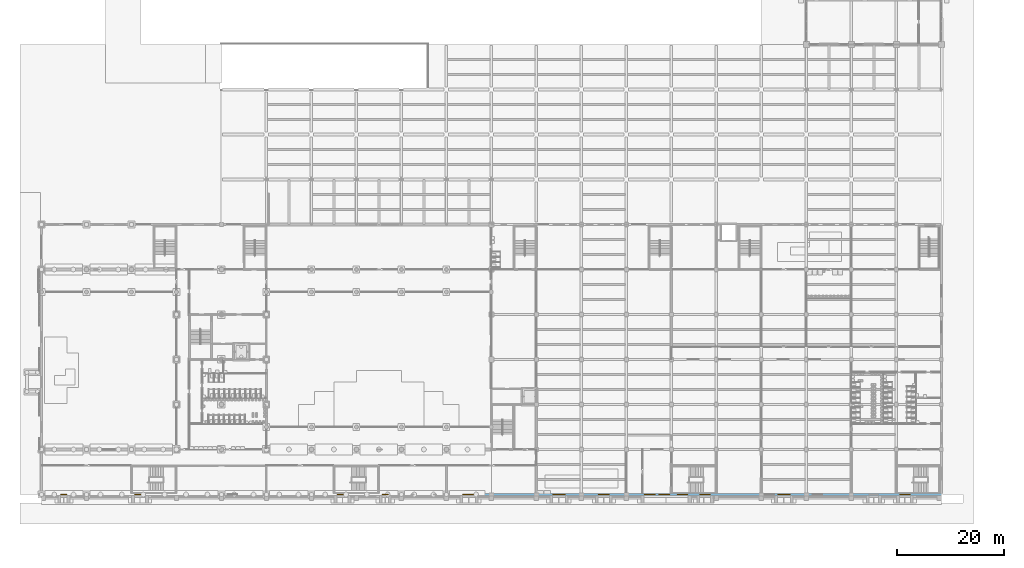
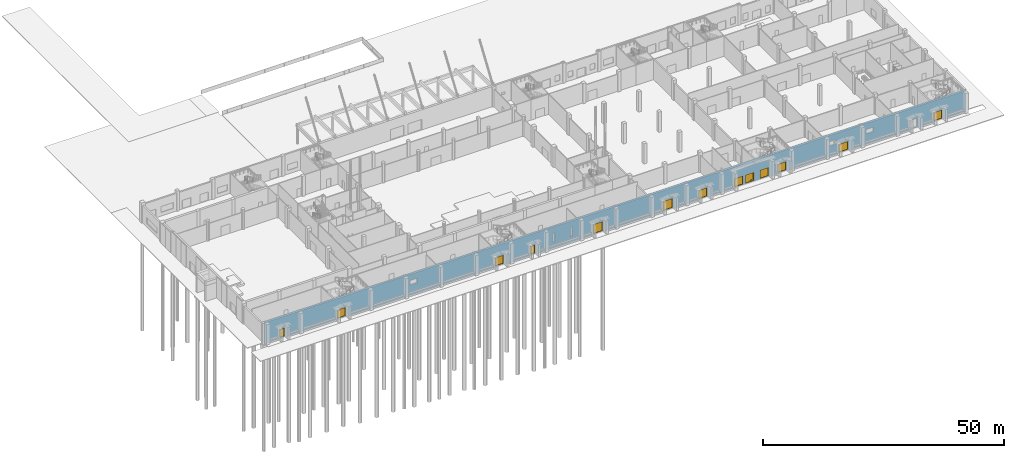
# One storey, part 27 of 74: 13 doors, 19 openings, plus 1 element that does not belong to this part.
"""IFC4 building model written with IfcOpenShell, lengths in metres."""

from ifc_helpers import new_model, si_unit, direction, frame, frame_2d, origin, place, context, subcontext, project, spatial, rectangle, extrude, material, layer, layer_set, type_object, element, fill, save


model = new_model("IFC4")

# Units and contexts
model_context = context("Model", 3, precision=1e-05, world=origin(), true_north=direction((0.0, 1.0)))
body_context = subcontext(model_context, "Body", "Model", "MODEL_VIEW")
ifc_project = project(units=[si_unit("LENGTHUNIT", "METRE"), si_unit("AREAUNIT", "SQUARE_METRE"), si_unit("VOLUMEUNIT", "CUBIC_METRE"), si_unit("PLANEANGLEUNIT", "RADIAN"), si_unit("MASSUNIT", "GRAM", prefix="KILO")], contexts=[model_context])

# Site, building, storey
site_placement = place(None, origin())
site = spatial("IfcSite", under=ifc_project, at=site_placement, CompositionType="ELEMENT")
building_placement = place(site_placement, origin())
building = spatial("IfcBuilding", under=site, at=building_placement, Name="Rulbaag Community and Learning Centre", CompositionType="ELEMENT")
storey_placement = place(building_placement, origin())
storey = spatial("IfcBuildingStorey", under=building, at=storey_placement, Name="L00", CompositionType="ELEMENT", Elevation=0.0)

# Wall, openings, doors
ifc_material_1 = material(Name="Concrete M40", Category="concrete")
ifc_layer = layer(ifc_material_1, 0.449951171875)
ifc_layer_set = layer_set([ifc_layer], Name="W12 Rail-side wall 450 Concrete M40")
wall_type = type_object("IfcWallType", Name="W12 Rail-side wall 450 Concrete M40", PredefinedType="SOLIDWALL", material=ifc_layer_set)
wall_placement = place(storey_placement, frame((0.0, 0.0, -0.300048828125), z_axis=(0.0, 0.0, 1.0), x_axis=(1.0, 0.0, 0.0)))
wall = element("IfcWall", 1, at=wall_placement, inside=storey, type_object=wall_type, Name="WL-RAIL-L00", PredefinedType="SOLIDWALL", context=body_context, shape_type="SweptSolid", body=[
    extrude(rectangle(XDim=168.0, YDim=0.449951171875, at=frame_2d((84.0, 0.0))), origin(), (0.0, 0.0, 1.0), 5.400146484375),
])
opening_1_placement = place(wall_placement, frame((34.800048828125, 0.0, 2.699951171875)))
element("IfcOpeningElement", 2, at=opening_1_placement, cuts=wall, Name="Opening WN7", PredefinedType="OPENING", context=body_context, shape_type="SweptSolid", body=[
    extrude(rectangle(XDim=1.800048828125, YDim=1.199951171875, at=frame_2d((0.89990234375, 0.60009765625))), frame((0.0, 0.23486328125, 0.0), z_axis=(0.0, -1.0, 0.0), x_axis=(1.0, 0.0, 0.0)), (0.0, 0.0, 1.0), 0.469970703125),
])
opening_2_placement = place(wall_placement, frame((69.074951171875, 0.0, 1.5)))
element("IfcOpeningElement", 3, at=opening_2_placement, cuts=wall, Name="Opening WN6", PredefinedType="OPENING", context=body_context, shape_type="SweptSolid", body=[
    extrude(rectangle(XDim=0.449951171875, YDim=2.39990234375, at=frame_2d((0.22509765625, 1.199951171875))), frame((0.0, 0.23486328125, 0.0), z_axis=(0.0, -1.0, 0.0), x_axis=(1.0, 0.0, 0.0)), (0.0, 0.0, 1.0), 0.469970703125),
])
opening_3_placement = place(wall_placement, frame((73.27490234375, 0.0, 1.5)))
element("IfcOpeningElement", 4, at=opening_3_placement, cuts=wall, Name="Opening WN6", PredefinedType="OPENING", context=body_context, shape_type="SweptSolid", body=[
    extrude(rectangle(XDim=0.449951171875, YDim=2.39990234375, at=frame_2d((0.22509765625, 1.199951171875))), frame((0.0, 0.23486328125, 0.0), z_axis=(0.0, -1.0, 0.0), x_axis=(1.0, 0.0, 0.0)), (0.0, 0.0, 1.0), 0.469970703125),
])
opening_4_placement = place(wall_placement, frame((135.0, 0.0, 2.699951171875)))
element("IfcOpeningElement", 5, at=opening_4_placement, cuts=wall, Name="Opening WN7", PredefinedType="OPENING", context=body_context, shape_type="SweptSolid", body=[
    extrude(rectangle(XDim=1.800048828125, YDim=1.199951171875, at=frame_2d((0.89990234375, 0.60009765625))), frame((0.0, 0.23486328125, 0.0), z_axis=(0.0, -1.0, 0.0), x_axis=(1.0, 0.0, 0.0)), (0.0, 0.0, 1.0), 0.469970703125),
])
opening_5_placement = place(wall_placement, frame((144.0, 0.0, 2.699951171875)))
element("IfcOpeningElement", 6, at=opening_5_placement, cuts=wall, Name="Opening WN7", PredefinedType="OPENING", context=body_context, shape_type="SweptSolid", body=[
    extrude(rectangle(XDim=1.800048828125, YDim=1.199951171875, at=frame_2d((0.89990234375, 0.60009765625))), frame((0.0, 0.23486328125, 0.0), z_axis=(0.0, -1.0, 0.0), x_axis=(1.0, 0.0, 0.0)), (0.0, 0.0, 1.0), 0.469970703125),
])
opening_6_placement = place(wall_placement, frame((114.60009765625, 0.0, 0.300048828125), z_axis=(0.0, 0.0, 1.0), x_axis=(-1.0, 0.0, 0.0)))
opening_6 = element("IfcOpeningElement", 7, at=opening_6_placement, cuts=wall, Name="Opening L00-D098", PredefinedType="OPENING", context=body_context, shape_type="SweptSolid", body=[
    extrude(rectangle(XDim=2.10009765625, YDim=2.199951171875, at=frame_2d((1.050048828125, 1.10009765625))), frame((0.0, 0.23486328125, 0.0), z_axis=(0.0, -1.0, 0.0), x_axis=(1.0, 0.0, 0.0)), (0.0, 0.0, 1.0), 0.469970703125),
])
opening_7_placement = place(wall_placement, frame((117.300048828125, 0.0, 0.300048828125), z_axis=(0.0, 0.0, 1.0), x_axis=(-1.0, 0.0, 0.0)))
opening_7 = element("IfcOpeningElement", 8, at=opening_7_placement, cuts=wall, Name="Opening L00-D100", PredefinedType="OPENING", context=body_context, shape_type="SweptSolid", body=[
    extrude(rectangle(XDim=2.10009765625, YDim=2.199951171875, at=frame_2d((1.050048828125, 1.10009765625))), frame((0.0, 0.23486328125, 0.0), z_axis=(0.0, -1.0, 0.0), x_axis=(1.0, 0.0, 0.0)), (0.0, 0.0, 1.0), 0.469970703125),
])
opening_8_placement = place(wall_placement, frame((106.050048828125, 0.0, 0.300048828125), z_axis=(0.0, 0.0, 1.0), x_axis=(-1.0, 0.0, 0.0)))
opening_8 = element("IfcOpeningElement", 9, at=opening_8_placement, cuts=wall, Name="Opening L00-D094", PredefinedType="OPENING", context=body_context, shape_type="SweptSolid", body=[
    extrude(rectangle(XDim=2.10009765625, YDim=2.199951171875, at=frame_2d((1.050048828125, 1.10009765625))), frame((0.0, 0.23486328125, 0.0), z_axis=(0.0, -1.0, 0.0), x_axis=(1.0, 0.0, 0.0)), (0.0, 0.0, 1.0), 0.469970703125),
])
opening_9_placement = place(wall_placement, frame((57.25, 0.0, 0.300048828125), z_axis=(0.0, 0.0, 1.0), x_axis=(-1.0, 0.0, 0.0)))
opening_9 = element("IfcOpeningElement", 10, at=opening_9_placement, cuts=wall, Name="Opening L00-D066", PredefinedType="OPENING", context=body_context, shape_type="SweptSolid", body=[
    extrude(rectangle(XDim=2.10009765625, YDim=2.199951171875, at=frame_2d((1.050048828125, 1.10009765625))), frame((0.0, 0.23486328125, 0.0), z_axis=(0.0, -1.0, 0.0), x_axis=(1.0, 0.0, 0.0)), (0.0, 0.0, 1.0), 0.469970703125),
])
opening_10_placement = place(wall_placement, frame((120.75, 0.0, 0.300048828125), z_axis=(0.0, 0.0, 1.0), x_axis=(-1.0, 0.0, 0.0)))
opening_10 = element("IfcOpeningElement", 11, at=opening_10_placement, cuts=wall, Name="Opening L00-D106", PredefinedType="OPENING", context=body_context, shape_type="SweptSolid", body=[
    extrude(rectangle(XDim=2.10009765625, YDim=2.199951171875, at=frame_2d((1.050048828125, 1.10009765625))), frame((0.0, 0.23486328125, 0.0), z_axis=(0.0, -1.0, 0.0), x_axis=(1.0, 0.0, 0.0)), (0.0, 0.0, 1.0), 0.469970703125),
])
opening_11_placement = place(wall_placement, frame((124.9501953125, 0.0, 0.300048828125), z_axis=(0.0, 0.0, 1.0), x_axis=(-1.0, 0.0, 0.0)))
opening_11 = element("IfcOpeningElement", 12, at=opening_11_placement, cuts=wall, Name="Opening L00-D110", PredefinedType="OPENING", context=body_context, shape_type="SweptSolid", body=[
    extrude(rectangle(XDim=2.10009765625, YDim=2.199951171875, at=frame_2d((1.050048828125, 1.10009765625))), frame((0.0, 0.23486328125, 0.0), z_axis=(0.0, -1.0, 0.0), x_axis=(1.0, 0.0, 0.0)), (0.0, 0.0, 1.0), 0.469970703125),
])
opening_12_placement = place(wall_placement, frame((19.4501953125, 0.0, 0.300048828125), z_axis=(0.0, 0.0, 1.0), x_axis=(-1.0, 0.0, 0.0)))
opening_12 = element("IfcOpeningElement", 13, at=opening_12_placement, cuts=wall, Name="Opening L00-D013", PredefinedType="OPENING", context=body_context, shape_type="SweptSolid", body=[
    extrude(rectangle(XDim=2.10009765625, YDim=2.199951171875, at=frame_2d((1.050048828125, 1.10009765625))), frame((0.0, 0.23486328125, 0.0), z_axis=(0.0, -1.0, 0.0), x_axis=(1.0, 0.0, 0.0)), (0.0, 0.0, 1.0), 0.469970703125),
])
opening_13_placement = place(wall_placement, frame((162.25, 0.0, 0.300048828125), z_axis=(0.0, 0.0, 1.0), x_axis=(-1.0, 0.0, 0.0)))
opening_13 = element("IfcOpeningElement", 14, at=opening_13_placement, cuts=wall, Name="Opening L00-D177", PredefinedType="OPENING", context=body_context, shape_type="SweptSolid", body=[
    extrude(rectangle(XDim=2.10009765625, YDim=2.199951171875, at=frame_2d((1.050048828125, 1.10009765625))), frame((0.0, 0.23486328125, 0.0), z_axis=(0.0, -1.0, 0.0), x_axis=(1.0, 0.0, 0.0)), (0.0, 0.0, 1.0), 0.469970703125),
])
opening_14_placement = place(wall_placement, frame((4.800048828125, 0.0, 0.300048828125), z_axis=(0.0, 0.0, 1.0), x_axis=(-1.0, 0.0, 0.0)))
opening_14 = element("IfcOpeningElement", 15, at=opening_14_placement, cuts=wall, Name="Opening L00-D005", PredefinedType="OPENING", context=body_context, shape_type="SweptSolid", body=[
    extrude(rectangle(XDim=1.199951171875, YDim=2.199951171875, at=frame_2d((0.60009765625, 1.10009765625))), frame((0.0, 0.23486328125, 0.0), z_axis=(0.0, -1.0, 0.0), x_axis=(1.0, 0.0, 0.0)), (0.0, 0.0, 1.0), 0.469970703125),
])
opening_15_placement = place(wall_placement, frame((64.800048828125, 0.0, 0.300048828125), z_axis=(0.0, 0.0, 1.0), x_axis=(-1.0, 0.0, 0.0)))
opening_15 = element("IfcOpeningElement", 16, at=opening_15_placement, cuts=wall, Name="Opening L00-D072", PredefinedType="OPENING", context=body_context, shape_type="SweptSolid", body=[
    extrude(rectangle(XDim=1.199951171875, YDim=2.199951171875, at=frame_2d((0.60009765625, 1.10009765625))), frame((0.0, 0.23486328125, 0.0), z_axis=(0.0, -1.0, 0.0), x_axis=(1.0, 0.0, 0.0)), (0.0, 0.0, 1.0), 0.469970703125),
])
opening_16_placement = place(wall_placement, frame((81.0, 0.0, 0.300048828125), z_axis=(0.0, 0.0, 1.0), x_axis=(-1.0, 0.0, 0.0)))
opening_16 = element("IfcOpeningElement", 17, at=opening_16_placement, cuts=wall, Name="Opening L00-D075", PredefinedType="OPENING", context=body_context, shape_type="SweptSolid", body=[
    extrude(rectangle(XDim=2.39990234375, YDim=2.39990234375, at=frame_2d((1.199951171875, 1.199951171875))), frame((0.0, 0.23486328125, 0.0), z_axis=(0.0, -1.0, 0.0), x_axis=(1.0, 0.0, 0.0)), (0.0, 0.0, 1.0), 0.469970703125),
])
opening_17_placement = place(wall_placement, frame((97.7998046875, 0.0, 0.300048828125), z_axis=(0.0, 0.0, 1.0), x_axis=(-1.0, 0.0, 0.0)))
opening_17 = element("IfcOpeningElement", 18, at=opening_17_placement, cuts=wall, Name="Opening L00-D091", PredefinedType="OPENING", context=body_context, shape_type="SweptSolid", body=[
    extrude(rectangle(XDim=2.39990234375, YDim=2.39990234375, at=frame_2d((1.199951171875, 1.199951171875))), frame((0.0, 0.23486328125, 0.0), z_axis=(0.0, -1.0, 0.0), x_axis=(1.0, 0.0, 0.0)), (0.0, 0.0, 1.0), 0.469970703125),
])
opening_18_placement = place(wall_placement, frame((139.7998046875, 0.0, 0.300048828125), z_axis=(0.0, 0.0, 1.0), x_axis=(-1.0, 0.0, 0.0)))
opening_18 = element("IfcOpeningElement", 19, at=opening_18_placement, cuts=wall, Name="Opening L00-D122", PredefinedType="OPENING", context=body_context, shape_type="SweptSolid", body=[
    extrude(rectangle(XDim=2.39990234375, YDim=2.10009765625, at=frame_2d((1.199951171875, 1.050048828125))), frame((0.0, 0.23486328125, 0.0), z_axis=(0.0, -1.0, 0.0), x_axis=(1.0, 0.0, 0.0)), (0.0, 0.0, 1.0), 0.469970703125),
])
opening_19_placement = place(wall_placement, frame((156.300048828125, 0.0, 0.300048828125), z_axis=(0.0, 0.0, 1.0), x_axis=(-1.0, 0.0, 0.0)))
element("IfcOpeningElement", 20, at=opening_19_placement, cuts=wall, Name="Opening L00-D155", PredefinedType="OPENING", context=body_context, shape_type="SweptSolid", body=[
    extrude(rectangle(XDim=1.800048828125, YDim=2.199951171875, at=frame_2d((0.89990234375, 1.10009765625))), frame((0.0, 0.23486328125, 0.0), z_axis=(0.0, -1.0, 0.0), x_axis=(1.0, 0.0, 0.0)), (0.0, 0.0, 1.0), 0.469970703125),
])
ifc_material_2 = material(Name="Aluminium", Category="aluminium")
door_type_1 = type_object("IfcDoorType", Name="DG-21", OperationType="DOUBLE_DOOR_SINGLE_SWING", PredefinedType="DOOR", material=ifc_material_2)
door_1_placement = place(opening_6_placement, origin())
door_1 = element("IfcDoor", 21, at=door_1_placement, inside=storey, type_object=door_type_1, Name="Final exit G11", OperationType="SINGLE_SWING_LEFT", OverallHeight=2.199951171875, OverallWidth=2.10009765625, PredefinedType="DOOR", context=body_context, shape_type="SweptSolid", body=[
    extrude(rectangle(XDim=2.10009765625, YDim=0.012939453125, at=frame_2d((1.050048828125, 0.006591796875))), frame((0.0, 0.114990234375, 0.0), z_axis=(0.0, -1.0, 0.0), x_axis=(1.0, 0.0, 0.0)), (0.0, 0.0, 1.0), 0.22998046875),
    extrude(rectangle(XDim=0.074951171875, YDim=2.112060546875, at=frame_2d((0.03759765625, 1.069091796875))), frame((0.0, 0.125, 0.0), z_axis=(0.0, -1.0, 0.0), x_axis=(1.0, 0.0, 0.0)), (0.0, 0.0, 1.0), 0.25),
    extrude(rectangle(XDim=0.074951171875, YDim=2.112060546875, at=frame_2d((2.0625, 1.069091796875))), frame((0.0, 0.125, 0.0), z_axis=(0.0, -1.0, 0.0), x_axis=(1.0, 0.0, 0.0)), (0.0, 0.0, 1.0), 0.25),
    extrude(rectangle(XDim=2.10009765625, YDim=0.074951171875, at=frame_2d((1.050048828125, 2.16259765625))), frame((0.0, 0.114990234375, 0.0), z_axis=(0.0, -1.0, 0.0), x_axis=(1.0, 0.0, 0.0)), (0.0, 0.0, 1.0), 0.22998046875),
    extrude(rectangle(XDim=1.9501953125, YDim=0.300048828125, at=frame_2d((1.050048828125, 0.1630859375))), frame((0.0, 0.02001953125, 0.0), z_axis=(0.0, -1.0, 0.0), x_axis=(1.0, 0.0, 0.0)), (0.0, 0.0, 1.0), 0.0400390625),
    extrude(rectangle(XDim=1.9501953125, YDim=0.1201171875, at=frame_2d((1.050048828125, 2.06494140625))), frame((0.0, 0.02001953125, 0.0), z_axis=(0.0, -1.0, 0.0), x_axis=(1.0, 0.0, 0.0)), (0.0, 0.0, 1.0), 0.0400390625),
    extrude(rectangle(XDim=0.090087890625, YDim=1.69189453125, at=frame_2d((0.119873046875, 1.158935546875))), frame((0.0, 0.02490234375, 0.0), z_axis=(0.0, -1.0, 0.0), x_axis=(1.0, 0.0, 0.0)), (0.0, 0.0, 1.0), 0.050048828125),
    extrude(rectangle(XDim=0.179931640625, YDim=1.69189453125, at=frame_2d((1.050048828125, 1.158935546875))), frame((0.0, 0.02490234375, 0.0), z_axis=(0.0, -1.0, 0.0), x_axis=(1.0, 0.0, 0.0)), (0.0, 0.0, 1.0), 0.050048828125),
    extrude(rectangle(XDim=0.090087890625, YDim=1.69189453125, at=frame_2d((1.980224609375, 1.158935546875))), frame((0.0, 0.02490234375, 0.0), z_axis=(0.0, -1.0, 0.0), x_axis=(1.0, 0.0, 0.0)), (0.0, 0.0, 1.0), 0.050048828125),
    extrude(rectangle(XDim=0.795166015625, YDim=1.69189453125, at=frame_2d((0.5625, 1.158935546875))), frame((0.0, 0.011962890625, 0.0), z_axis=(0.0, -1.0, 0.0), x_axis=(1.0, 0.0, 0.0)), (0.0, 0.0, 1.0), 0.02392578125),
    extrude(rectangle(XDim=0.795166015625, YDim=1.69189453125, at=frame_2d((1.53759765625, 1.158935546875))), frame((0.0, 0.011962890625, 0.0), z_axis=(0.0, -1.0, 0.0), x_axis=(1.0, 0.0, 0.0)), (0.0, 0.0, 1.0), 0.02392578125),
])
fill(opening_6, door_1)
door_2_placement = place(opening_7_placement, origin())
door_2 = element("IfcDoor", 22, at=door_2_placement, inside=storey, type_object=door_type_1, Name="Final exit G12", OperationType="SINGLE_SWING_LEFT", OverallHeight=2.199951171875, OverallWidth=2.10009765625, PredefinedType="DOOR", context=body_context, shape_type="SweptSolid", body=[
    extrude(rectangle(XDim=2.10009765625, YDim=0.012939453125, at=frame_2d((1.050048828125, 0.006591796875))), frame((0.0, 0.114990234375, 0.0), z_axis=(0.0, -1.0, 0.0), x_axis=(1.0, 0.0, 0.0)), (0.0, 0.0, 1.0), 0.22998046875),
    extrude(rectangle(XDim=0.074951171875, YDim=2.112060546875, at=frame_2d((0.03759765625, 1.069091796875))), frame((0.0, 0.125, 0.0), z_axis=(0.0, -1.0, 0.0), x_axis=(1.0, 0.0, 0.0)), (0.0, 0.0, 1.0), 0.25),
    extrude(rectangle(XDim=0.074951171875, YDim=2.112060546875, at=frame_2d((2.0625, 1.069091796875))), frame((0.0, 0.125, 0.0), z_axis=(0.0, -1.0, 0.0), x_axis=(1.0, 0.0, 0.0)), (0.0, 0.0, 1.0), 0.25),
    extrude(rectangle(XDim=2.10009765625, YDim=0.074951171875, at=frame_2d((1.050048828125, 2.16259765625))), frame((0.0, 0.114990234375, 0.0), z_axis=(0.0, -1.0, 0.0), x_axis=(1.0, 0.0, 0.0)), (0.0, 0.0, 1.0), 0.22998046875),
    extrude(rectangle(XDim=1.9501953125, YDim=0.300048828125, at=frame_2d((1.050048828125, 0.1630859375))), frame((0.0, 0.02001953125, 0.0), z_axis=(0.0, -1.0, 0.0), x_axis=(1.0, 0.0, 0.0)), (0.0, 0.0, 1.0), 0.0400390625),
    extrude(rectangle(XDim=1.9501953125, YDim=0.1201171875, at=frame_2d((1.050048828125, 2.06494140625))), frame((0.0, 0.02001953125, 0.0), z_axis=(0.0, -1.0, 0.0), x_axis=(1.0, 0.0, 0.0)), (0.0, 0.0, 1.0), 0.0400390625),
    extrude(rectangle(XDim=0.090087890625, YDim=1.69189453125, at=frame_2d((0.119873046875, 1.158935546875))), frame((0.0, 0.02490234375, 0.0), z_axis=(0.0, -1.0, 0.0), x_axis=(1.0, 0.0, 0.0)), (0.0, 0.0, 1.0), 0.050048828125),
    extrude(rectangle(XDim=0.179931640625, YDim=1.69189453125, at=frame_2d((1.050048828125, 1.158935546875))), frame((0.0, 0.02490234375, 0.0), z_axis=(0.0, -1.0, 0.0), x_axis=(1.0, 0.0, 0.0)), (0.0, 0.0, 1.0), 0.050048828125),
    extrude(rectangle(XDim=0.090087890625, YDim=1.69189453125, at=frame_2d((1.980224609375, 1.158935546875))), frame((0.0, 0.02490234375, 0.0), z_axis=(0.0, -1.0, 0.0), x_axis=(1.0, 0.0, 0.0)), (0.0, 0.0, 1.0), 0.050048828125),
    extrude(rectangle(XDim=0.795166015625, YDim=1.69189453125, at=frame_2d((0.5625, 1.158935546875))), frame((0.0, 0.011962890625, 0.0), z_axis=(0.0, -1.0, 0.0), x_axis=(1.0, 0.0, 0.0)), (0.0, 0.0, 1.0), 0.02392578125),
    extrude(rectangle(XDim=0.795166015625, YDim=1.69189453125, at=frame_2d((1.53759765625, 1.158935546875))), frame((0.0, 0.011962890625, 0.0), z_axis=(0.0, -1.0, 0.0), x_axis=(1.0, 0.0, 0.0)), (0.0, 0.0, 1.0), 0.02392578125),
])
fill(opening_7, door_2)
ifc_material_3 = material(Name="Galvanised steel", Category="steel")
door_type_2 = type_object("IfcDoorType", Name="DL-24", OperationType="DOUBLE_DOOR_SINGLE_SWING", PredefinedType="DOOR", material=ifc_material_3)
door_3_placement = place(opening_18_placement, origin())
door_3 = element("IfcDoor", 23, at=door_3_placement, inside=storey, type_object=door_type_2, Name="Service door S8 Generator room", OperationType="SINGLE_SWING_LEFT", OverallHeight=2.10009765625, OverallWidth=2.39990234375, PredefinedType="DOOR", context=body_context, shape_type="SweptSolid", body=[
    extrude(rectangle(XDim=2.39990234375, YDim=0.012939453125, at=frame_2d((1.199951171875, 0.006591796875))), frame((0.0, 0.114990234375, 0.0), z_axis=(0.0, -1.0, 0.0), x_axis=(1.0, 0.0, 0.0)), (0.0, 0.0, 1.0), 0.22998046875),
    extrude(rectangle(XDim=0.074951171875, YDim=2.01220703125, at=frame_2d((0.03759765625, 1.01904296875))), frame((0.0, 0.125, 0.0), z_axis=(0.0, -1.0, 0.0), x_axis=(1.0, 0.0, 0.0)), (0.0, 0.0, 1.0), 0.25),
    extrude(rectangle(XDim=0.074951171875, YDim=2.01220703125, at=frame_2d((2.3623046875, 1.01904296875))), frame((0.0, 0.125, 0.0), z_axis=(0.0, -1.0, 0.0), x_axis=(1.0, 0.0, 0.0)), (0.0, 0.0, 1.0), 0.25),
    extrude(rectangle(XDim=2.39990234375, YDim=0.074951171875, at=frame_2d((1.199951171875, 2.0625))), frame((0.0, 0.114990234375, 0.0), z_axis=(0.0, -1.0, 0.0), x_axis=(1.0, 0.0, 0.0)), (0.0, 0.0, 1.0), 0.22998046875),
    extrude(rectangle(XDim=2.25, YDim=2.01220703125, at=frame_2d((1.199951171875, 1.01904296875))), frame((0.0, 0.02490234375, 0.0), z_axis=(0.0, -1.0, 0.0), x_axis=(1.0, 0.0, 0.0)), (0.0, 0.0, 1.0), 0.050048828125),
])
fill(opening_18, door_3)
door_type_3 = type_object("IfcDoorType", Name="DS-12", OperationType="SINGLE_SWING_LEFT", PredefinedType="DOOR", material=ifc_material_3)
door_4_placement = place(opening_14_placement, origin())
door_4 = element("IfcDoor", 24, at=door_4_placement, inside=storey, type_object=door_type_3, Name="Service door S1 Prayer hall store", OperationType="SINGLE_SWING_LEFT", OverallHeight=2.199951171875, OverallWidth=1.199951171875, PredefinedType="DOOR", context=body_context, shape_type="SweptSolid", body=[
    extrude(rectangle(XDim=1.199951171875, YDim=0.012939453125, at=frame_2d((0.60009765625, 0.006591796875))), frame((0.0, 0.114990234375, 0.0), z_axis=(0.0, -1.0, 0.0), x_axis=(1.0, 0.0, 0.0)), (0.0, 0.0, 1.0), 0.22998046875),
    extrude(rectangle(XDim=0.06005859375, YDim=2.126953125, at=frame_2d((0.030029296875, 1.076416015625))), frame((0.0, 0.125, 0.0), z_axis=(0.0, -1.0, 0.0), x_axis=(1.0, 0.0, 0.0)), (0.0, 0.0, 1.0), 0.25),
    extrude(rectangle(XDim=0.06005859375, YDim=2.126953125, at=frame_2d((1.169921875, 1.076416015625))), frame((0.0, 0.125, 0.0), z_axis=(0.0, -1.0, 0.0), x_axis=(1.0, 0.0, 0.0)), (0.0, 0.0, 1.0), 0.25),
    extrude(rectangle(XDim=1.199951171875, YDim=0.06005859375, at=frame_2d((0.60009765625, 2.169921875))), frame((0.0, 0.114990234375, 0.0), z_axis=(0.0, -1.0, 0.0), x_axis=(1.0, 0.0, 0.0)), (0.0, 0.0, 1.0), 0.22998046875),
    extrude(rectangle(XDim=1.079833984375, YDim=2.126953125, at=frame_2d((0.60009765625, 1.076416015625))), frame((0.0, 0.02490234375, 0.0), z_axis=(0.0, -1.0, 0.0), x_axis=(1.0, 0.0, 0.0)), (0.0, 0.0, 1.0), 0.050048828125),
])
fill(opening_14, door_4)
door_5_placement = place(opening_15_placement, origin())
door_5 = element("IfcDoor", 25, at=door_5_placement, inside=storey, type_object=door_type_3, Name="Service door S3 Dressing room", OperationType="SINGLE_SWING_LEFT", OverallHeight=2.199951171875, OverallWidth=1.199951171875, PredefinedType="DOOR", context=body_context, shape_type="SweptSolid", body=[
    extrude(rectangle(XDim=1.199951171875, YDim=0.012939453125, at=frame_2d((0.60009765625, 0.006591796875))), frame((0.0, 0.114990234375, 0.0), z_axis=(0.0, -1.0, 0.0), x_axis=(1.0, 0.0, 0.0)), (0.0, 0.0, 1.0), 0.22998046875),
    extrude(rectangle(XDim=0.06005859375, YDim=2.126953125, at=frame_2d((0.030029296875, 1.076416015625))), frame((0.0, 0.125, 0.0), z_axis=(0.0, -1.0, 0.0), x_axis=(1.0, 0.0, 0.0)), (0.0, 0.0, 1.0), 0.25),
    extrude(rectangle(XDim=0.06005859375, YDim=2.126953125, at=frame_2d((1.169921875, 1.076416015625))), frame((0.0, 0.125, 0.0), z_axis=(0.0, -1.0, 0.0), x_axis=(1.0, 0.0, 0.0)), (0.0, 0.0, 1.0), 0.25),
    extrude(rectangle(XDim=1.199951171875, YDim=0.06005859375, at=frame_2d((0.60009765625, 2.169921875))), frame((0.0, 0.114990234375, 0.0), z_axis=(0.0, -1.0, 0.0), x_axis=(1.0, 0.0, 0.0)), (0.0, 0.0, 1.0), 0.22998046875),
    extrude(rectangle(XDim=1.079833984375, YDim=2.126953125, at=frame_2d((0.60009765625, 1.076416015625))), frame((0.0, 0.02490234375, 0.0), z_axis=(0.0, -1.0, 0.0), x_axis=(1.0, 0.0, 0.0)), (0.0, 0.0, 1.0), 0.050048828125),
])
fill(opening_15, door_5)
door_type_4 = type_object("IfcDoorType", Name="DS-24", OperationType="DOUBLE_DOOR_SINGLE_SWING", PredefinedType="DOOR", material=ifc_material_3)
door_6_placement = place(opening_16_placement, origin())
door_6 = element("IfcDoor", 26, at=door_6_placement, inside=storey, type_object=door_type_4, Name="Service door S4 Stage equipment store", OperationType="SINGLE_SWING_LEFT", OverallHeight=2.39990234375, OverallWidth=2.39990234375, PredefinedType="DOOR", context=body_context, shape_type="SweptSolid", body=[
    extrude(rectangle(XDim=2.39990234375, YDim=0.012939453125, at=frame_2d((1.199951171875, 0.006591796875))), frame((0.0, 0.114990234375, 0.0), z_axis=(0.0, -1.0, 0.0), x_axis=(1.0, 0.0, 0.0)), (0.0, 0.0, 1.0), 0.22998046875),
    extrude(rectangle(XDim=0.074951171875, YDim=2.31201171875, at=frame_2d((0.03759765625, 1.1689453125))), frame((0.0, 0.125, 0.0), z_axis=(0.0, -1.0, 0.0), x_axis=(1.0, 0.0, 0.0)), (0.0, 0.0, 1.0), 0.25),
    extrude(rectangle(XDim=0.074951171875, YDim=2.31201171875, at=frame_2d((2.3623046875, 1.1689453125))), frame((0.0, 0.125, 0.0), z_axis=(0.0, -1.0, 0.0), x_axis=(1.0, 0.0, 0.0)), (0.0, 0.0, 1.0), 0.25),
    extrude(rectangle(XDim=2.39990234375, YDim=0.074951171875, at=frame_2d((1.199951171875, 2.3623046875))), frame((0.0, 0.114990234375, 0.0), z_axis=(0.0, -1.0, 0.0), x_axis=(1.0, 0.0, 0.0)), (0.0, 0.0, 1.0), 0.22998046875),
    extrude(rectangle(XDim=2.25, YDim=2.31201171875, at=frame_2d((1.199951171875, 1.1689453125))), frame((0.0, 0.02490234375, 0.0), z_axis=(0.0, -1.0, 0.0), x_axis=(1.0, 0.0, 0.0)), (0.0, 0.0, 1.0), 0.050048828125),
])
fill(opening_16, door_6)
door_7_placement = place(opening_17_placement, origin())
door_7 = element("IfcDoor", 27, at=door_7_placement, inside=storey, type_object=door_type_4, Name="Service door S5 Kitchen delivery", OperationType="SINGLE_SWING_LEFT", OverallHeight=2.39990234375, OverallWidth=2.39990234375, PredefinedType="DOOR", context=body_context, shape_type="SweptSolid", body=[
    extrude(rectangle(XDim=2.39990234375, YDim=0.012939453125, at=frame_2d((1.199951171875, 0.006591796875))), frame((0.0, 0.114990234375, 0.0), z_axis=(0.0, -1.0, 0.0), x_axis=(1.0, 0.0, 0.0)), (0.0, 0.0, 1.0), 0.22998046875),
    extrude(rectangle(XDim=0.074951171875, YDim=2.31201171875, at=frame_2d((0.03759765625, 1.1689453125))), frame((0.0, 0.125, 0.0), z_axis=(0.0, -1.0, 0.0), x_axis=(1.0, 0.0, 0.0)), (0.0, 0.0, 1.0), 0.25),
    extrude(rectangle(XDim=0.074951171875, YDim=2.31201171875, at=frame_2d((2.3623046875, 1.1689453125))), frame((0.0, 0.125, 0.0), z_axis=(0.0, -1.0, 0.0), x_axis=(1.0, 0.0, 0.0)), (0.0, 0.0, 1.0), 0.25),
    extrude(rectangle(XDim=2.39990234375, YDim=0.074951171875, at=frame_2d((1.199951171875, 2.3623046875))), frame((0.0, 0.114990234375, 0.0), z_axis=(0.0, -1.0, 0.0), x_axis=(1.0, 0.0, 0.0)), (0.0, 0.0, 1.0), 0.22998046875),
    extrude(rectangle(XDim=2.25, YDim=2.31201171875, at=frame_2d((1.199951171875, 1.1689453125))), frame((0.0, 0.02490234375, 0.0), z_axis=(0.0, -1.0, 0.0), x_axis=(1.0, 0.0, 0.0)), (0.0, 0.0, 1.0), 0.050048828125),
])
fill(opening_17, door_7)
door_type_5 = type_object("IfcDoorType", Name="DX-21", OperationType="DOUBLE_DOOR_SINGLE_SWING", PredefinedType="DOOR", material=ifc_material_3)
door_8_placement = place(opening_8_placement, origin())
door_8 = element("IfcDoor", 28, at=door_8_placement, inside=storey, type_object=door_type_5, Name="Final exit G23", OperationType="SINGLE_SWING_LEFT", OverallHeight=2.199951171875, OverallWidth=2.10009765625, PredefinedType="DOOR", context=body_context, shape_type="SweptSolid", body=[
    extrude(rectangle(XDim=2.10009765625, YDim=0.012939453125, at=frame_2d((1.050048828125, 0.006591796875))), frame((0.0, 0.114990234375, 0.0), z_axis=(0.0, -1.0, 0.0), x_axis=(1.0, 0.0, 0.0)), (0.0, 0.0, 1.0), 0.22998046875),
    extrude(rectangle(XDim=0.074951171875, YDim=2.112060546875, at=frame_2d((0.03759765625, 1.069091796875))), frame((0.0, 0.125, 0.0), z_axis=(0.0, -1.0, 0.0), x_axis=(1.0, 0.0, 0.0)), (0.0, 0.0, 1.0), 0.25),
    extrude(rectangle(XDim=0.074951171875, YDim=2.112060546875, at=frame_2d((2.0625, 1.069091796875))), frame((0.0, 0.125, 0.0), z_axis=(0.0, -1.0, 0.0), x_axis=(1.0, 0.0, 0.0)), (0.0, 0.0, 1.0), 0.25),
    extrude(rectangle(XDim=2.10009765625, YDim=0.074951171875, at=frame_2d((1.050048828125, 2.16259765625))), frame((0.0, 0.114990234375, 0.0), z_axis=(0.0, -1.0, 0.0), x_axis=(1.0, 0.0, 0.0)), (0.0, 0.0, 1.0), 0.22998046875),
    extrude(rectangle(XDim=1.9501953125, YDim=2.112060546875, at=frame_2d((1.050048828125, 1.069091796875))), frame((0.0, 0.02490234375, 0.0), z_axis=(0.0, -1.0, 0.0), x_axis=(1.0, 0.0, 0.0)), (0.0, 0.0, 1.0), 0.050048828125),
])
fill(opening_8, door_8)
door_9_placement = place(opening_9_placement, origin())
door_9 = element("IfcDoor", 29, at=door_9_placement, inside=storey, type_object=door_type_5, Name="Final exit G24", OperationType="SINGLE_SWING_LEFT", OverallHeight=2.199951171875, OverallWidth=2.10009765625, PredefinedType="DOOR", context=body_context, shape_type="SweptSolid", body=[
    extrude(rectangle(XDim=2.10009765625, YDim=0.012939453125, at=frame_2d((1.050048828125, 0.006591796875))), frame((0.0, 0.114990234375, 0.0), z_axis=(0.0, -1.0, 0.0), x_axis=(1.0, 0.0, 0.0)), (0.0, 0.0, 1.0), 0.22998046875),
    extrude(rectangle(XDim=0.074951171875, YDim=2.112060546875, at=frame_2d((0.03759765625, 1.069091796875))), frame((0.0, 0.125, 0.0), z_axis=(0.0, -1.0, 0.0), x_axis=(1.0, 0.0, 0.0)), (0.0, 0.0, 1.0), 0.25),
    extrude(rectangle(XDim=0.074951171875, YDim=2.112060546875, at=frame_2d((2.0625, 1.069091796875))), frame((0.0, 0.125, 0.0), z_axis=(0.0, -1.0, 0.0), x_axis=(1.0, 0.0, 0.0)), (0.0, 0.0, 1.0), 0.25),
    extrude(rectangle(XDim=2.10009765625, YDim=0.074951171875, at=frame_2d((1.050048828125, 2.16259765625))), frame((0.0, 0.114990234375, 0.0), z_axis=(0.0, -1.0, 0.0), x_axis=(1.0, 0.0, 0.0)), (0.0, 0.0, 1.0), 0.22998046875),
    extrude(rectangle(XDim=1.9501953125, YDim=2.112060546875, at=frame_2d((1.050048828125, 1.069091796875))), frame((0.0, 0.02490234375, 0.0), z_axis=(0.0, -1.0, 0.0), x_axis=(1.0, 0.0, 0.0)), (0.0, 0.0, 1.0), 0.050048828125),
])
fill(opening_9, door_9)
door_10_placement = place(opening_10_placement, origin())
door_10 = element("IfcDoor", 30, at=door_10_placement, inside=storey, type_object=door_type_5, Name="Final exit G25", OperationType="SINGLE_SWING_LEFT", OverallHeight=2.199951171875, OverallWidth=2.10009765625, PredefinedType="DOOR", context=body_context, shape_type="SweptSolid", body=[
    extrude(rectangle(XDim=2.10009765625, YDim=0.012939453125, at=frame_2d((1.050048828125, 0.006591796875))), frame((0.0, 0.114990234375, 0.0), z_axis=(0.0, -1.0, 0.0), x_axis=(1.0, 0.0, 0.0)), (0.0, 0.0, 1.0), 0.22998046875),
    extrude(rectangle(XDim=0.074951171875, YDim=2.112060546875, at=frame_2d((0.03759765625, 1.069091796875))), frame((0.0, 0.125, 0.0), z_axis=(0.0, -1.0, 0.0), x_axis=(1.0, 0.0, 0.0)), (0.0, 0.0, 1.0), 0.25),
    extrude(rectangle(XDim=0.074951171875, YDim=2.112060546875, at=frame_2d((2.0625, 1.069091796875))), frame((0.0, 0.125, 0.0), z_axis=(0.0, -1.0, 0.0), x_axis=(1.0, 0.0, 0.0)), (0.0, 0.0, 1.0), 0.25),
    extrude(rectangle(XDim=2.10009765625, YDim=0.074951171875, at=frame_2d((1.050048828125, 2.16259765625))), frame((0.0, 0.114990234375, 0.0), z_axis=(0.0, -1.0, 0.0), x_axis=(1.0, 0.0, 0.0)), (0.0, 0.0, 1.0), 0.22998046875),
    extrude(rectangle(XDim=1.9501953125, YDim=2.112060546875, at=frame_2d((1.050048828125, 1.069091796875))), frame((0.0, 0.02490234375, 0.0), z_axis=(0.0, -1.0, 0.0), x_axis=(1.0, 0.0, 0.0)), (0.0, 0.0, 1.0), 0.050048828125),
])
fill(opening_10, door_10)
door_11_placement = place(opening_11_placement, origin())
door_11 = element("IfcDoor", 31, at=door_11_placement, inside=storey, type_object=door_type_5, Name="Final exit G26", OperationType="SINGLE_SWING_LEFT", OverallHeight=2.199951171875, OverallWidth=2.10009765625, PredefinedType="DOOR", context=body_context, shape_type="SweptSolid", body=[
    extrude(rectangle(XDim=2.10009765625, YDim=0.012939453125, at=frame_2d((1.050048828125, 0.006591796875))), frame((0.0, 0.114990234375, 0.0), z_axis=(0.0, -1.0, 0.0), x_axis=(1.0, 0.0, 0.0)), (0.0, 0.0, 1.0), 0.22998046875),
    extrude(rectangle(XDim=0.074951171875, YDim=2.112060546875, at=frame_2d((0.03759765625, 1.069091796875))), frame((0.0, 0.125, 0.0), z_axis=(0.0, -1.0, 0.0), x_axis=(1.0, 0.0, 0.0)), (0.0, 0.0, 1.0), 0.25),
    extrude(rectangle(XDim=0.074951171875, YDim=2.112060546875, at=frame_2d((2.0625, 1.069091796875))), frame((0.0, 0.125, 0.0), z_axis=(0.0, -1.0, 0.0), x_axis=(1.0, 0.0, 0.0)), (0.0, 0.0, 1.0), 0.25),
    extrude(rectangle(XDim=2.10009765625, YDim=0.074951171875, at=frame_2d((1.050048828125, 2.16259765625))), frame((0.0, 0.114990234375, 0.0), z_axis=(0.0, -1.0, 0.0), x_axis=(1.0, 0.0, 0.0)), (0.0, 0.0, 1.0), 0.22998046875),
    extrude(rectangle(XDim=1.9501953125, YDim=2.112060546875, at=frame_2d((1.050048828125, 1.069091796875))), frame((0.0, 0.02490234375, 0.0), z_axis=(0.0, -1.0, 0.0), x_axis=(1.0, 0.0, 0.0)), (0.0, 0.0, 1.0), 0.050048828125),
])
fill(opening_11, door_11)
door_12_placement = place(opening_12_placement, origin())
door_12 = element("IfcDoor", 32, at=door_12_placement, inside=storey, type_object=door_type_5, Name="Final exit G27", OperationType="SINGLE_SWING_LEFT", OverallHeight=2.199951171875, OverallWidth=2.10009765625, PredefinedType="DOOR", context=body_context, shape_type="SweptSolid", body=[
    extrude(rectangle(XDim=2.10009765625, YDim=0.012939453125, at=frame_2d((1.050048828125, 0.006591796875))), frame((0.0, 0.114990234375, 0.0), z_axis=(0.0, -1.0, 0.0), x_axis=(1.0, 0.0, 0.0)), (0.0, 0.0, 1.0), 0.22998046875),
    extrude(rectangle(XDim=0.074951171875, YDim=2.112060546875, at=frame_2d((0.03759765625, 1.069091796875))), frame((0.0, 0.125, 0.0), z_axis=(0.0, -1.0, 0.0), x_axis=(1.0, 0.0, 0.0)), (0.0, 0.0, 1.0), 0.25),
    extrude(rectangle(XDim=0.074951171875, YDim=2.112060546875, at=frame_2d((2.0625, 1.069091796875))), frame((0.0, 0.125, 0.0), z_axis=(0.0, -1.0, 0.0), x_axis=(1.0, 0.0, 0.0)), (0.0, 0.0, 1.0), 0.25),
    extrude(rectangle(XDim=2.10009765625, YDim=0.074951171875, at=frame_2d((1.050048828125, 2.16259765625))), frame((0.0, 0.114990234375, 0.0), z_axis=(0.0, -1.0, 0.0), x_axis=(1.0, 0.0, 0.0)), (0.0, 0.0, 1.0), 0.22998046875),
    extrude(rectangle(XDim=1.9501953125, YDim=2.112060546875, at=frame_2d((1.050048828125, 1.069091796875))), frame((0.0, 0.02490234375, 0.0), z_axis=(0.0, -1.0, 0.0), x_axis=(1.0, 0.0, 0.0)), (0.0, 0.0, 1.0), 0.050048828125),
])
fill(opening_12, door_12)
door_13_placement = place(opening_13_placement, origin())
door_13 = element("IfcDoor", 33, at=door_13_placement, inside=storey, type_object=door_type_5, Name="Final exit G28", OperationType="SINGLE_SWING_LEFT", OverallHeight=2.199951171875, OverallWidth=2.10009765625, PredefinedType="DOOR", context=body_context, shape_type="SweptSolid", body=[
    extrude(rectangle(XDim=2.10009765625, YDim=0.012939453125, at=frame_2d((1.050048828125, 0.006591796875))), frame((0.0, 0.114990234375, 0.0), z_axis=(0.0, -1.0, 0.0), x_axis=(1.0, 0.0, 0.0)), (0.0, 0.0, 1.0), 0.22998046875),
    extrude(rectangle(XDim=0.074951171875, YDim=2.112060546875, at=frame_2d((0.03759765625, 1.069091796875))), frame((0.0, 0.125, 0.0), z_axis=(0.0, -1.0, 0.0), x_axis=(1.0, 0.0, 0.0)), (0.0, 0.0, 1.0), 0.25),
    extrude(rectangle(XDim=0.074951171875, YDim=2.112060546875, at=frame_2d((2.0625, 1.069091796875))), frame((0.0, 0.125, 0.0), z_axis=(0.0, -1.0, 0.0), x_axis=(1.0, 0.0, 0.0)), (0.0, 0.0, 1.0), 0.25),
    extrude(rectangle(XDim=2.10009765625, YDim=0.074951171875, at=frame_2d((1.050048828125, 2.16259765625))), frame((0.0, 0.114990234375, 0.0), z_axis=(0.0, -1.0, 0.0), x_axis=(1.0, 0.0, 0.0)), (0.0, 0.0, 1.0), 0.22998046875),
    extrude(rectangle(XDim=1.9501953125, YDim=2.112060546875, at=frame_2d((1.050048828125, 1.069091796875))), frame((0.0, 0.02490234375, 0.0), z_axis=(0.0, -1.0, 0.0), x_axis=(1.0, 0.0, 0.0)), (0.0, 0.0, 1.0), 0.050048828125),
])
fill(opening_13, door_13)

save(model, "model.ifc")
